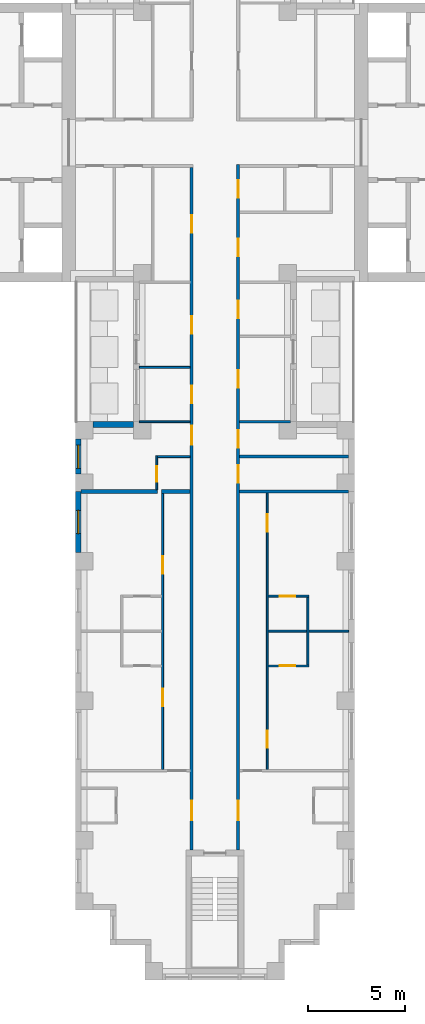
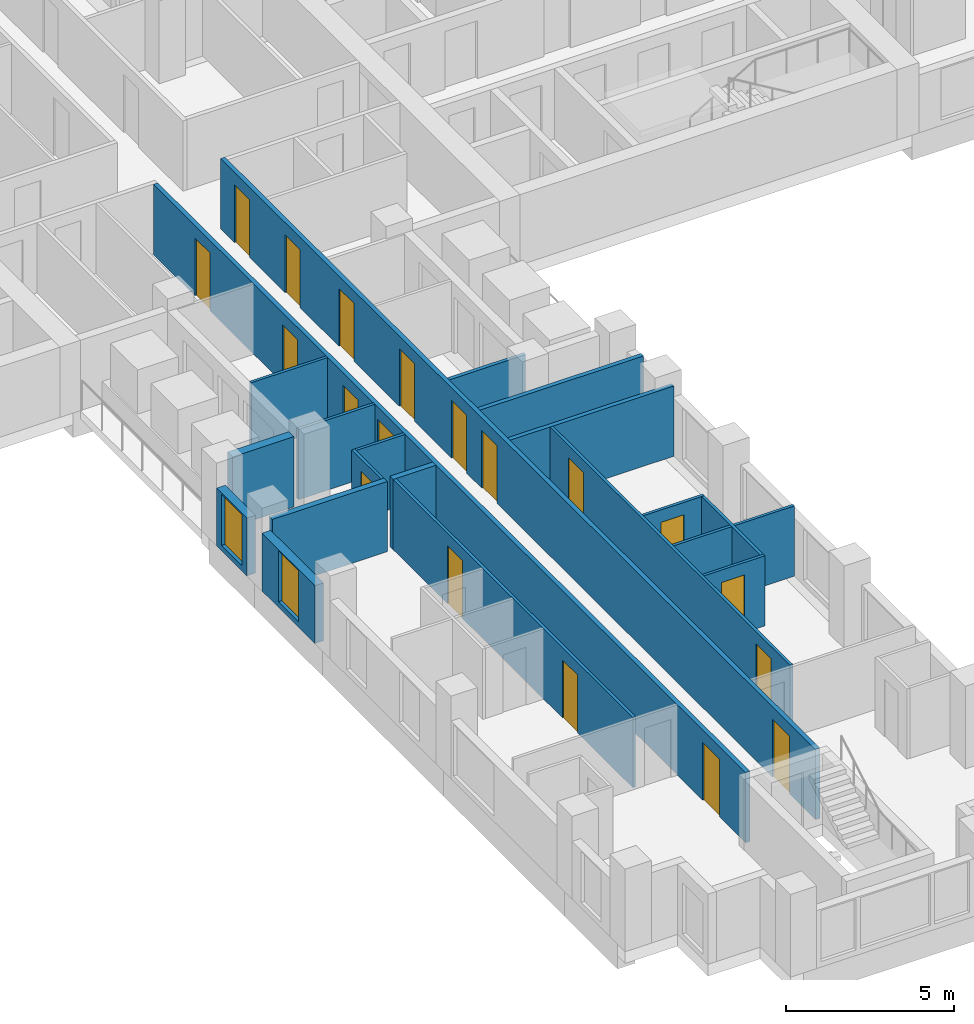
# One storey, part 4 of 15: 20 walls, 19 doors, 2 windows, 21 openings.
"""IFC4 building model written with IfcOpenShell, lengths in metres."""

import ifcopenshell
import ifcopenshell.guid

model = None  # the IFC model being written
_history = None  # IfcOwnerHistory: only IFC2X3 demands one
_inside = {}  # id of a spatial element -> (the spatial element, [elements in it])
_under = {}  # id of a project, library or spatial element -> (it, [spatial elements below it])
_declared = {}  # id of a project -> (the project, [libraries it declares])
_typed = {}  # id of a type object -> (the type object, [elements of that type])
_made_of = {}  # id of a material, layer set ... -> (it, [elements and type objects made of it])


def new_model(schema):
    """Start an empty IFC model of exactly this schema.

    Asked for "IFC4X3", IfcOpenShell would pick the latest addendum, in which some entities
    have other attributes; the version numbers below select the first issue.
    IFC2X3 requires an IfcOwnerHistory on every rooted entity: one is made here for all.
    """
    global model, _history
    if schema == "IFC4X3":
        model = ifcopenshell.file(schema_version=(4, 3, 0, 0))
    else:
        model = ifcopenshell.file(schema=schema)
    _inside.clear()
    _under.clear()
    _declared.clear()
    _typed.clear()
    _made_of.clear()
    _history = None
    if model.schema == "IFC2X3":
        org = make("IfcOrganization", Name="unknown")
        user = make(
            "IfcPersonAndOrganization",
            ThePerson=make("IfcPerson", FamilyName="unknown"),
            TheOrganization=org,
        )
        app = make(
            "IfcApplication",
            ApplicationDeveloper=org,
            Version="unknown",
            ApplicationFullName="unknown",
            ApplicationIdentifier="unknown",
        )
        _history = make(
            "IfcOwnerHistory",
            OwningUser=user,
            OwningApplication=app,
            ChangeAction="ADDED",
            CreationDate=0,
        )
    return model


def make(cls, **values):
    """One entity of the class cls with the attributes given. An attribute that is None is left unset."""
    return model.create_entity(
        cls, **{name: value for name, value in values.items() if value is not None}
    )


def rooted(cls, **values):
    """An entity with a GlobalId (a new one), such as an element, a storey or a relation."""
    return make(cls, GlobalId=ifcopenshell.guid.new(), OwnerHistory=_history, **values)


def si_unit(unit_type, name, prefix=None):
    """IfcSIUnit, for example si_unit("LENGTHUNIT", "METRE", prefix="MILLI")."""
    return make("IfcSIUnit", UnitType=unit_type, Prefix=prefix, Name=name)


def assignment(units):
    """IfcUnitAssignment: the units of a project."""
    return None if units is None else make("IfcUnitAssignment", Units=units)


def point(xyz):
    """IfcCartesianPoint."""
    return None if xyz is None else make("IfcCartesianPoint", Coordinates=xyz)


def direction(xyz):
    """IfcDirection."""
    return None if xyz is None else make("IfcDirection", DirectionRatios=xyz)


def frame(location, z_axis=None, x_axis=None):
    """IfcAxis2Placement3D, a coordinate frame: its origin and axes. An axis left out is left unset."""
    return make(
        "IfcAxis2Placement3D",
        Location=point(location),
        Axis=direction(z_axis),
        RefDirection=direction(x_axis),
    )


def frame_2d(location, x_axis=None):
    """IfcAxis2Placement2D, a coordinate frame in the plane: its origin and x axis."""
    return make(
        "IfcAxis2Placement2D", Location=point(location), RefDirection=direction(x_axis)
    )


def origin():
    """The frame at (0, 0, 0) with its axes left unset."""
    return frame((0.0, 0.0, 0.0))


def place(relative_to, where):
    """IfcLocalPlacement: puts the frame where relative to a parent placement (None: the world)."""
    return make(
        "IfcLocalPlacement", PlacementRelTo=relative_to, RelativePlacement=where
    )


def context(
    kind, dimensions, precision=None, world=None, true_north=None, identifier=None
):
    """IfcGeometricRepresentationContext, for example the 3D "Model" context."""
    return make(
        "IfcGeometricRepresentationContext",
        ContextIdentifier=identifier,
        ContextType=kind,
        CoordinateSpaceDimension=dimensions,
        Precision=precision,
        WorldCoordinateSystem=world,
        TrueNorth=true_north,
    )


def subcontext(parent, identifier, kind, view, scale=None):
    """IfcGeometricRepresentationSubContext, for example "Body" below "Model"."""
    return make(
        "IfcGeometricRepresentationSubContext",
        ContextIdentifier=identifier,
        ContextType=kind,
        ParentContext=parent,
        TargetScale=scale,
        TargetView=view,
    )


def project(units=None, contexts=None):
    """IfcProject with its units and contexts."""
    return rooted(
        "IfcProject",
        Name="project",
        RepresentationContexts=contexts,
        UnitsInContext=assignment(units),
    )


def spatial(cls, under=None, at=None, **own):
    """A site, building, storey or space (cls), placed at a placement, below another one or the project."""
    s = rooted(cls, ObjectPlacement=at, **own)
    if under is not None:
        _under.setdefault(under.id(), (under, []))[1].append(s)
    return s


def profile(cls, at=None, kind="AREA", **sizes):
    """A parametric profile (cls). Its sizes go by their IFC names, for example OverallWidth=200.0."""
    return make(cls, ProfileType=kind, Position=at, **sizes)


def rectangle(**sizes):
    """IfcRectangleProfileDef."""
    return profile("IfcRectangleProfileDef", **sizes)


def extrude(swept, where, along, depth):
    """IfcExtrudedAreaSolid: the profile swept, set in the frame where, extruded along a direction by depth."""
    return make(
        "IfcExtrudedAreaSolid",
        SweptArea=swept,
        Position=where,
        ExtrudedDirection=direction(along),
        Depth=depth,
    )


def shape(context_of_items, identifier, shape_type, items):
    """IfcShapeRepresentation: the items that make up one representation, for example the "Body"."""
    return make(
        "IfcShapeRepresentation",
        ContextOfItems=context_of_items,
        RepresentationIdentifier=identifier,
        RepresentationType=shape_type,
        Items=items,
    )


def material(Name=None, Category=None):
    """IfcMaterial."""
    return make("IfcMaterial", Name=Name, Category=Category)


def layer(
    of_material, thickness, ventilated=None, Name=None, Category=None, Priority=None
):
    """IfcMaterialLayer: one layer of a wall or slab, of a material (None: an air gap)."""
    return make(
        "IfcMaterialLayer",
        Material=of_material,
        LayerThickness=thickness,
        IsVentilated=ventilated,
        Name=Name,
        Category=Category,
        Priority=Priority,
    )


def layer_set(layers, Name=None):
    """IfcMaterialLayerSet."""
    return make("IfcMaterialLayerSet", MaterialLayers=layers, LayerSetName=Name)


def made_of(thing, what):
    """Note that an element or type object is made of a material, layer set ...; save() writes the relation."""
    if what is not None:
        _made_of.setdefault(what.id(), (what, []))[1].append(thing)
    return thing


def type_object(cls, material=None, **own):
    """A type object (cls), such as IfcWallType, which elements share."""
    return made_of(rooted(cls, **own), material)


def element(
    cls,
    number,
    at=None,
    inside=None,
    cuts=None,
    type_object=None,
    material=None,
    context=None,
    identifier="Body",
    shape_type=None,
    held_by="IfcProductDefinitionShape",
    body=None,
    shapes=None,
    **own,
):
    """One element of the class cls, such as IfcWall. Its Tag is "e" and its number.

    at: its placement. inside: the storey or other place that contains it. cuts: it is an
    opening in that element (IfcRelVoidsElement). A single representation is given by context,
    identifier, shape_type and body (its items); several are given by shapes. held_by: the class
    of the entity that holds the representations. save() writes the other relations.
    """
    e = rooted(cls, Tag="e%d" % number, ObjectPlacement=at, **own)
    if body is not None:
        shapes = [shape(context, identifier, shape_type, body)]
    if shapes is not None:
        e.Representation = make(held_by, Representations=shapes)
    if inside is not None:
        _inside.setdefault(inside.id(), (inside, []))[1].append(e)
    if cuts is not None:
        rooted(
            "IfcRelVoidsElement", RelatingBuildingElement=cuts, RelatedOpeningElement=e
        )
    if type_object is not None:
        _typed.setdefault(type_object.id(), (type_object, []))[1].append(e)
    return made_of(e, material)


def fill(opening, filler):
    """IfcRelFillsElement: the door or window that sits in an opening."""
    return rooted(
        "IfcRelFillsElement",
        RelatingOpeningElement=opening,
        RelatedBuildingElement=filler,
    )


def aggregate(whole, parts):
    """IfcRelAggregates: a whole, such as a stair, and the parts it consists of."""
    return rooted("IfcRelAggregates", RelatingObject=whole, RelatedObjects=parts)


def save(model, path):
    """Write the relations noted so far, then the file.

    IfcRelAggregates (storeys below a building ...), IfcRelContainedInSpatialStructure (elements
    in a storey), IfcRelDefinesByType, IfcRelAssociatesMaterial and IfcRelDeclares: one each for
    every whole, place, type object, material and project.
    """
    for whole, parts in _under.values():
        aggregate(whole, parts)
    for where, things in _inside.values():
        rooted(
            "IfcRelContainedInSpatialStructure",
            RelatedElements=things,
            RelatingStructure=where,
        )
    for kind, things in _typed.values():
        rooted("IfcRelDefinesByType", RelatedObjects=things, RelatingType=kind)
    for what, things in _made_of.values():
        rooted("IfcRelAssociatesMaterial", RelatedObjects=things, RelatingMaterial=what)
    for by, libraries in _declared.values():
        rooted("IfcRelDeclares", RelatingContext=by, RelatedDefinitions=libraries)
    model.write(path)


model = new_model("IFC4")

# Units and contexts
model_context = context("Model", 3, precision=1e-05, world=origin(), true_north=direction((0.0, 1.0)))
body_context = subcontext(model_context, "Body", "Model", "MODEL_VIEW")
ifc_project = project(units=[si_unit("LENGTHUNIT", "METRE"), si_unit("AREAUNIT", "SQUARE_METRE"), si_unit("VOLUMEUNIT", "CUBIC_METRE"), si_unit("PLANEANGLEUNIT", "RADIAN"), si_unit("MASSUNIT", "GRAM", prefix="KILO")], contexts=[model_context])

# Site, building, storey
site_placement = place(None, origin())
site = spatial("IfcSite", under=ifc_project, at=site_placement, CompositionType="ELEMENT")
building_placement = place(site_placement, origin())
building = spatial("IfcBuilding", under=site, at=building_placement, Name="Fustian Cross Tower", CompositionType="ELEMENT")
storey_placement = place(building_placement, frame((0.0, 0.0, 59.699951171875)))
storey = spatial("IfcBuildingStorey", under=building, at=storey_placement, Name="L18", CompositionType="ELEMENT", Elevation=59.699951171875)

# Wall, openings, doors
ifc_material_1 = material(Name="Plasterboard on steel stud", Category="steel")
ifc_layer_1 = layer(ifc_material_1, 0.14990234375)
ifc_layer_set_1 = layer_set([ifc_layer_1], Name="Plasterboard on steel stud")
wall_type_1 = type_object("IfcWallType", Name="COMPARTMENT WALL 150 EI 60", PredefinedType="PARTITIONING", material=ifc_layer_set_1)
wall_1_placement = place(storey_placement, frame((-1.199951171875, -36.5, 0.0), z_axis=(0.0, 0.0, 1.0), x_axis=(0.0, 1.0, 0.0)))
wall_1 = element("IfcWall", 1, at=wall_1_placement, inside=storey, type_object=wall_type_1, Name="Partition 46", PredefinedType="PARTITIONING", context=body_context, shape_type="SweptSolid", body=[
    extrude(rectangle(XDim=35.22509765625, YDim=0.14990234375, at=frame_2d((17.612548828125, 0.0))), origin(), (0.0, 0.0, 1.0), 2.550048828125),
])
opening_1_placement = place(wall_1_placement, frame((31.85009765625, 0.0, 0.0)))
opening_1 = element("IfcOpeningElement", 2, at=opening_1_placement, cuts=wall_1, Name="Opening D09009", PredefinedType="OPENING", context=body_context, shape_type="SweptSolid", body=[
    extrude(rectangle(XDim=0.89990234375, YDim=2.10009765625, at=frame_2d((0.449951171875, 1.050048828125))), frame((0.0, 0.0849609375, 0.0), z_axis=(0.0, -1.0, 0.0), x_axis=(1.0, 0.0, 0.0)), (0.0, 0.0, 1.0), 0.169921875),
])
opening_2_placement = place(wall_1_placement, frame((23.050048828125, 0.0, 0.0)))
opening_2 = element("IfcOpeningElement", 3, at=opening_2_placement, cuts=wall_1, Name="Opening D09064", PredefinedType="OPENING", context=body_context, shape_type="SweptSolid", body=[
    extrude(rectangle(XDim=0.89990234375, YDim=2.10009765625, at=frame_2d((0.449951171875, 1.050048828125))), frame((0.0, 0.0849609375, 0.0), z_axis=(0.0, -1.0, 0.0), x_axis=(1.0, 0.0, 0.0)), (0.0, 0.0, 1.0), 0.169921875),
])
opening_3_placement = place(wall_1_placement, frame((26.64990234375, 0.0, 0.0)))
opening_3 = element("IfcOpeningElement", 4, at=opening_3_placement, cuts=wall_1, Name="Opening D09065", PredefinedType="OPENING", context=body_context, shape_type="SweptSolid", body=[
    extrude(rectangle(XDim=0.89990234375, YDim=2.10009765625, at=frame_2d((0.449951171875, 1.050048828125))), frame((0.0, 0.0849609375, 0.0), z_axis=(0.0, -1.0, 0.0), x_axis=(1.0, 0.0, 0.0)), (0.0, 0.0, 1.0), 0.169921875),
])
opening_4_placement = place(wall_1_placement, frame((20.89990234375, 0.0, 0.0)))
opening_4 = element("IfcOpeningElement", 5, at=opening_4_placement, cuts=wall_1, Name="Opening D09067", PredefinedType="OPENING", context=body_context, shape_type="SweptSolid", body=[
    extrude(rectangle(XDim=1.0, YDim=2.10009765625, at=frame_2d((0.5, 1.050048828125))), frame((0.0, 0.0849609375, 0.0), z_axis=(0.0, -1.0, 0.0), x_axis=(1.0, 0.0, 0.0)), (0.0, 0.0, 1.0), 0.169921875),
])
opening_5_placement = place(wall_1_placement, frame((1.550048828125, 0.0, 0.0)))
opening_5 = element("IfcOpeningElement", 6, at=opening_5_placement, cuts=wall_1, Name="Opening D09069", PredefinedType="OPENING", context=body_context, shape_type="SweptSolid", body=[
    extrude(rectangle(XDim=1.0, YDim=2.10009765625, at=frame_2d((0.5, 1.050048828125))), frame((0.0, 0.0849609375, 0.0), z_axis=(0.0, -1.0, 0.0), x_axis=(1.0, 0.0, 0.0)), (0.0, 0.0, 1.0), 0.169921875),
])
ifc_material_2 = material(Name="Timber fire door set", Category="wood")
door_type_1 = type_object("IfcDoorType", Name="FIRE SWING DOOR 1000 FD30S", OperationType="SINGLE_SWING_LEFT", PredefinedType="DOOR", material=ifc_material_2)
door_1_placement = place(opening_4_placement, origin())
door_1 = element("IfcDoor", 7, at=door_1_placement, inside=storey, type_object=door_type_1, Name="Door D09067", OperationType="SINGLE_SWING_RIGHT", OverallHeight=2.10009765625, OverallWidth=1.0, PredefinedType="DOOR", context=body_context, shape_type="SweptSolid", body=[
    extrude(rectangle(XDim=1.0, YDim=2.10009765625, at=frame_2d((0.5, 1.050048828125))), frame((0.0, 0.02490234375, 0.0), z_axis=(0.0, -1.0, 0.0), x_axis=(1.0, 0.0, 0.0)), (0.0, 0.0, 1.0), 0.050048828125),
])
fill(opening_4, door_1)
door_2_placement = place(opening_5_placement, origin())
door_2 = element("IfcDoor", 8, at=door_2_placement, inside=storey, type_object=door_type_1, Name="Door D09069", OperationType="SINGLE_SWING_RIGHT", OverallHeight=2.10009765625, OverallWidth=1.0, PredefinedType="DOOR", context=body_context, shape_type="SweptSolid", body=[
    extrude(rectangle(XDim=1.0, YDim=2.10009765625, at=frame_2d((0.5, 1.050048828125))), frame((0.0, 0.02490234375, 0.0), z_axis=(0.0, -1.0, 0.0), x_axis=(1.0, 0.0, 0.0)), (0.0, 0.0, 1.0), 0.050048828125),
])
fill(opening_5, door_2)
ifc_material_3 = material(Name="Timber fire door set", Category="wood")
door_type_2 = type_object("IfcDoorType", Name="FIRE SWING DOOR 900 FD30S", OperationType="SINGLE_SWING_LEFT", PredefinedType="DOOR", material=ifc_material_3)
door_3_placement = place(opening_1_placement, origin())
door_3 = element("IfcDoor", 9, at=door_3_placement, inside=storey, type_object=door_type_2, Name="Door D09009", OperationType="SINGLE_SWING_LEFT", OverallHeight=2.10009765625, OverallWidth=0.89990234375, PredefinedType="DOOR", context=body_context, shape_type="SweptSolid", body=[
    extrude(rectangle(XDim=0.89990234375, YDim=2.10009765625, at=frame_2d((0.449951171875, 1.050048828125))), frame((0.0, 0.02490234375, 0.0), z_axis=(0.0, -1.0, 0.0), x_axis=(1.0, 0.0, 0.0)), (0.0, 0.0, 1.0), 0.050048828125),
])
fill(opening_1, door_3)
door_4_placement = place(opening_2_placement, origin())
door_4 = element("IfcDoor", 10, at=door_4_placement, inside=storey, type_object=door_type_2, Name="Door D09064", OperationType="SINGLE_SWING_LEFT", OverallHeight=2.10009765625, OverallWidth=0.89990234375, PredefinedType="DOOR", context=body_context, shape_type="SweptSolid", body=[
    extrude(rectangle(XDim=0.89990234375, YDim=2.10009765625, at=frame_2d((0.449951171875, 1.050048828125))), frame((0.0, 0.02490234375, 0.0), z_axis=(0.0, -1.0, 0.0), x_axis=(1.0, 0.0, 0.0)), (0.0, 0.0, 1.0), 0.050048828125),
])
fill(opening_2, door_4)
door_5_placement = place(opening_3_placement, origin())
door_5 = element("IfcDoor", 11, at=door_5_placement, inside=storey, type_object=door_type_2, Name="Door D09065", OperationType="SINGLE_SWING_LEFT", OverallHeight=2.10009765625, OverallWidth=0.89990234375, PredefinedType="DOOR", context=body_context, shape_type="SweptSolid", body=[
    extrude(rectangle(XDim=0.89990234375, YDim=2.10009765625, at=frame_2d((0.449951171875, 1.050048828125))), frame((0.0, 0.02490234375, 0.0), z_axis=(0.0, -1.0, 0.0), x_axis=(1.0, 0.0, 0.0)), (0.0, 0.0, 1.0), 0.050048828125),
])
fill(opening_3, door_5)

wall_2_placement = place(storey_placement, frame((1.199951171875, -36.5, 0.0), z_axis=(0.0, 0.0, 1.0), x_axis=(0.0, 1.0, 0.0)))
wall_2 = element("IfcWall", 12, at=wall_2_placement, inside=storey, type_object=wall_type_1, Name="Partition 48", PredefinedType="PARTITIONING", context=body_context, shape_type="SweptSolid", body=[
    extrude(rectangle(XDim=35.375, YDim=0.14990234375, at=frame_2d((17.6875, 0.0))), origin(), (0.0, 0.0, 1.0), 2.550048828125),
])
opening_6_placement = place(wall_2_placement, frame((33.64990234375, 0.0, 0.0)))
opening_6 = element("IfcOpeningElement", 13, at=opening_6_placement, cuts=wall_2, Name="Opening D09006", PredefinedType="OPENING", context=body_context, shape_type="SweptSolid", body=[
    extrude(rectangle(XDim=0.89990234375, YDim=2.10009765625, at=frame_2d((0.449951171875, 1.050048828125))), frame((0.0, 0.0849609375, 0.0), z_axis=(0.0, -1.0, 0.0), x_axis=(1.0, 0.0, 0.0)), (0.0, 0.0, 1.0), 0.169921875),
])
opening_7_placement = place(wall_2_placement, frame((30.64990234375, 0.0, 0.0)))
opening_7 = element("IfcOpeningElement", 14, at=opening_7_placement, cuts=wall_2, Name="Opening D09008", PredefinedType="OPENING", context=body_context, shape_type="SweptSolid", body=[
    extrude(rectangle(XDim=0.89990234375, YDim=2.10009765625, at=frame_2d((0.449951171875, 1.050048828125))), frame((0.0, 0.0849609375, 0.0), z_axis=(0.0, -1.0, 0.0), x_axis=(1.0, 0.0, 0.0)), (0.0, 0.0, 1.0), 0.169921875),
])
opening_8_placement = place(wall_2_placement, frame((27.449951171875, 0.0, 0.0)))
opening_8 = element("IfcOpeningElement", 15, at=opening_8_placement, cuts=wall_2, Name="Opening D09053", PredefinedType="OPENING", context=body_context, shape_type="SweptSolid", body=[
    extrude(rectangle(XDim=0.89990234375, YDim=2.10009765625, at=frame_2d((0.449951171875, 1.050048828125))), frame((0.0, 0.0849609375, 0.0), z_axis=(0.0, -1.0, 0.0), x_axis=(1.0, 0.0, 0.0)), (0.0, 0.0, 1.0), 0.169921875),
])
opening_9_placement = place(wall_2_placement, frame((23.85009765625, 0.0, 0.0)))
opening_9 = element("IfcOpeningElement", 16, at=opening_9_placement, cuts=wall_2, Name="Opening D09054", PredefinedType="OPENING", context=body_context, shape_type="SweptSolid", body=[
    extrude(rectangle(XDim=0.89990234375, YDim=2.10009765625, at=frame_2d((0.449951171875, 1.050048828125))), frame((0.0, 0.0849609375, 0.0), z_axis=(0.0, -1.0, 0.0), x_axis=(1.0, 0.0, 0.0)), (0.0, 0.0, 1.0), 0.169921875),
])
opening_10_placement = place(wall_2_placement, frame((20.75, 0.0, 0.0)))
opening_10 = element("IfcOpeningElement", 17, at=opening_10_placement, cuts=wall_2, Name="Opening D09055", PredefinedType="OPENING", context=body_context, shape_type="SweptSolid", body=[
    extrude(rectangle(XDim=0.89990234375, YDim=2.10009765625, at=frame_2d((0.449951171875, 1.050048828125))), frame((0.0, 0.0849609375, 0.0), z_axis=(0.0, -1.0, 0.0), x_axis=(1.0, 0.0, 0.0)), (0.0, 0.0, 1.0), 0.169921875),
])
opening_11_placement = place(wall_2_placement, frame((18.949951171875, 0.0, 0.0)))
opening_11 = element("IfcOpeningElement", 18, at=opening_11_placement, cuts=wall_2, Name="Opening D09056", PredefinedType="OPENING", context=body_context, shape_type="SweptSolid", body=[
    extrude(rectangle(XDim=0.89990234375, YDim=2.10009765625, at=frame_2d((0.449951171875, 1.050048828125))), frame((0.0, 0.0849609375, 0.0), z_axis=(0.0, -1.0, 0.0), x_axis=(1.0, 0.0, 0.0)), (0.0, 0.0, 1.0), 0.169921875),
])
opening_12_placement = place(wall_2_placement, frame((1.550048828125, 0.0, 0.0)))
opening_12 = element("IfcOpeningElement", 19, at=opening_12_placement, cuts=wall_2, Name="Opening D09058", PredefinedType="OPENING", context=body_context, shape_type="SweptSolid", body=[
    extrude(rectangle(XDim=1.0, YDim=2.10009765625, at=frame_2d((0.5, 1.050048828125))), frame((0.0, 0.0849609375, 0.0), z_axis=(0.0, -1.0, 0.0), x_axis=(1.0, 0.0, 0.0)), (0.0, 0.0, 1.0), 0.169921875),
])
door_6_placement = place(opening_12_placement, frame((1.0, 0.0, 0.0), z_axis=(0.0, 0.0, 1.0), x_axis=(-1.0, 0.0, 0.0)))
door_6 = element("IfcDoor", 20, at=door_6_placement, inside=storey, type_object=door_type_1, Name="Door D09058", OperationType="SINGLE_SWING_LEFT", OverallHeight=2.10009765625, OverallWidth=1.0, PredefinedType="DOOR", context=body_context, shape_type="SweptSolid", body=[
    extrude(rectangle(XDim=1.0, YDim=2.10009765625, at=frame_2d((0.5, 1.050048828125))), frame((0.0, 0.02490234375, 0.0), z_axis=(0.0, -1.0, 0.0), x_axis=(1.0, 0.0, 0.0)), (0.0, 0.0, 1.0), 0.050048828125),
])
fill(opening_12, door_6)
door_7_placement = place(opening_6_placement, frame((0.89990234375, 0.0, 0.0), z_axis=(0.0, 0.0, 1.0), x_axis=(-1.0, 0.0, 0.0)))
door_7 = element("IfcDoor", 21, at=door_7_placement, inside=storey, type_object=door_type_2, Name="Door D09006", OperationType="SINGLE_SWING_RIGHT", OverallHeight=2.10009765625, OverallWidth=0.89990234375, PredefinedType="DOOR", context=body_context, shape_type="SweptSolid", body=[
    extrude(rectangle(XDim=0.89990234375, YDim=2.10009765625, at=frame_2d((0.449951171875, 1.050048828125))), frame((0.0, 0.02490234375, 0.0), z_axis=(0.0, -1.0, 0.0), x_axis=(1.0, 0.0, 0.0)), (0.0, 0.0, 1.0), 0.050048828125),
])
fill(opening_6, door_7)
door_8_placement = place(opening_7_placement, frame((0.89990234375, 0.0, 0.0), z_axis=(0.0, 0.0, 1.0), x_axis=(-1.0, 0.0, 0.0)))
door_8 = element("IfcDoor", 22, at=door_8_placement, inside=storey, type_object=door_type_2, Name="Door D09008", OperationType="SINGLE_SWING_RIGHT", OverallHeight=2.10009765625, OverallWidth=0.89990234375, PredefinedType="DOOR", context=body_context, shape_type="SweptSolid", body=[
    extrude(rectangle(XDim=0.89990234375, YDim=2.10009765625, at=frame_2d((0.449951171875, 1.050048828125))), frame((0.0, 0.02490234375, 0.0), z_axis=(0.0, -1.0, 0.0), x_axis=(1.0, 0.0, 0.0)), (0.0, 0.0, 1.0), 0.050048828125),
])
fill(opening_7, door_8)
door_9_placement = place(opening_8_placement, frame((0.89990234375, 0.0, 0.0), z_axis=(0.0, 0.0, 1.0), x_axis=(-1.0, 0.0, 0.0)))
door_9 = element("IfcDoor", 23, at=door_9_placement, inside=storey, type_object=door_type_2, Name="Door D09053", OperationType="SINGLE_SWING_RIGHT", OverallHeight=2.10009765625, OverallWidth=0.89990234375, PredefinedType="DOOR", context=body_context, shape_type="SweptSolid", body=[
    extrude(rectangle(XDim=0.89990234375, YDim=2.10009765625, at=frame_2d((0.449951171875, 1.050048828125))), frame((0.0, 0.02490234375, 0.0), z_axis=(0.0, -1.0, 0.0), x_axis=(1.0, 0.0, 0.0)), (0.0, 0.0, 1.0), 0.050048828125),
])
fill(opening_8, door_9)
door_10_placement = place(opening_9_placement, frame((0.89990234375, 0.0, 0.0), z_axis=(0.0, 0.0, 1.0), x_axis=(-1.0, 0.0, 0.0)))
door_10 = element("IfcDoor", 24, at=door_10_placement, inside=storey, type_object=door_type_2, Name="Door D09054", OperationType="SINGLE_SWING_RIGHT", OverallHeight=2.10009765625, OverallWidth=0.89990234375, PredefinedType="DOOR", context=body_context, shape_type="SweptSolid", body=[
    extrude(rectangle(XDim=0.89990234375, YDim=2.10009765625, at=frame_2d((0.449951171875, 1.050048828125))), frame((0.0, 0.02490234375, 0.0), z_axis=(0.0, -1.0, 0.0), x_axis=(1.0, 0.0, 0.0)), (0.0, 0.0, 1.0), 0.050048828125),
])
fill(opening_9, door_10)
door_11_placement = place(opening_10_placement, frame((0.89990234375, 0.0, 0.0), z_axis=(0.0, 0.0, 1.0), x_axis=(-1.0, 0.0, 0.0)))
door_11 = element("IfcDoor", 25, at=door_11_placement, inside=storey, type_object=door_type_2, Name="Door D09055", OperationType="SINGLE_SWING_LEFT", OverallHeight=2.10009765625, OverallWidth=0.89990234375, PredefinedType="DOOR", context=body_context, shape_type="SweptSolid", body=[
    extrude(rectangle(XDim=0.89990234375, YDim=2.10009765625, at=frame_2d((0.449951171875, 1.050048828125))), frame((0.0, 0.02490234375, 0.0), z_axis=(0.0, -1.0, 0.0), x_axis=(1.0, 0.0, 0.0)), (0.0, 0.0, 1.0), 0.050048828125),
])
fill(opening_10, door_11)
door_12_placement = place(opening_11_placement, frame((0.89990234375, 0.0, 0.0), z_axis=(0.0, 0.0, 1.0), x_axis=(-1.0, 0.0, 0.0)))
door_12 = element("IfcDoor", 26, at=door_12_placement, inside=storey, type_object=door_type_2, Name="Door D09056", OperationType="SINGLE_SWING_LEFT", OverallHeight=2.10009765625, OverallWidth=0.89990234375, PredefinedType="DOOR", context=body_context, shape_type="SweptSolid", body=[
    extrude(rectangle(XDim=0.89990234375, YDim=2.10009765625, at=frame_2d((0.449951171875, 1.050048828125))), frame((0.0, 0.02490234375, 0.0), z_axis=(0.0, -1.0, 0.0), x_axis=(1.0, 0.0, 0.0)), (0.0, 0.0, 1.0), 0.050048828125),
])
fill(opening_11, door_12)

# Walls
for number, where, z_axis, x_axis, name in (
    (27, (1.27490234375, -18.0, 0.0), (0.0, 0.0, 1.0), (1.0, 0.0, 0.0), "Partition 50"),
    (28, (1.27490234375, -16.199951171875, 0.0), (0.0, 0.0, 1.0), (1.0, 0.0, 0.0), "Partition 51"),
):
    element("IfcWall", number, at=place(storey_placement, frame(where, z_axis=z_axis, x_axis=x_axis)), inside=storey, type_object=wall_type_1, Name=name, PredefinedType="PARTITIONING", context=body_context, shape_type="SweptSolid", body=[
        extrude(rectangle(XDim=5.625, YDim=0.14990234375, at=frame_2d((2.8125, 0.0))), origin(), (0.0, 0.0, 1.0), 2.550048828125),
    ])
ifc_material_4 = material(Name="Plasterboard on steel stud", Category="steel")
ifc_layer_2 = layer(ifc_material_4, 0.10009765625)
ifc_layer_set_2 = layer_set([ifc_layer_2], Name="Plasterboard on steel stud")
wall_type_2 = type_object("IfcWallType", Name="PARTITION 100 STUD", PredefinedType="PARTITIONING", material=ifc_layer_set_2)
for number, where, z_axis, x_axis, name in (
    (29, (-3.89990234375, -14.39990234375, 0.0), (0.0, 0.0, 1.0), (1.0, 0.0, 0.0), "Partition 28"),
    (30, (-3.89990234375, -11.60009765625, 0.0), (0.0, 0.0, 1.0), (1.0, 0.0, 0.0), "Partition 29"),
):
    element("IfcWall", number, at=place(storey_placement, frame(where, z_axis=z_axis, x_axis=x_axis)), inside=storey, type_object=wall_type_2, Name=name, PredefinedType="PARTITIONING", context=body_context, shape_type="SweptSolid", body=[
        extrude(rectangle(XDim=2.625, YDim=0.10009765625, at=frame_2d((1.3125, 0.0))), origin(), (0.0, 0.0, 1.0), 2.550048828125),
    ])

# Wall, opening, door
wall_3_placement = place(storey_placement, frame((-3.0, -17.89990234375, 0.0), z_axis=(0.0, 0.0, 1.0), x_axis=(0.0, 1.0, 0.0)))
wall_3 = element("IfcWall", 31, at=wall_3_placement, inside=storey, type_object=wall_type_2, Name="Partition 42", PredefinedType="PARTITIONING", context=body_context, shape_type="SweptSolid", body=[
    extrude(rectangle(XDim=1.75, YDim=0.10009765625, at=frame_2d((0.875, 0.0))), origin(), (0.0, 0.0, 1.0), 2.550048828125),
])
opening_13_placement = place(wall_3_placement, frame((0.39990234375, 0.0, 0.0)))
opening_13 = element("IfcOpeningElement", 32, at=opening_13_placement, cuts=wall_3, Name="Opening D09066", PredefinedType="OPENING", context=body_context, shape_type="SweptSolid", body=[
    extrude(rectangle(XDim=0.800048828125, YDim=2.10009765625, at=frame_2d((0.39990234375, 1.050048828125))), frame((0.0, 0.06005859375, 0.0), z_axis=(0.0, -1.0, 0.0), x_axis=(1.0, 0.0, 0.0)), (0.0, 0.0, 1.0), 0.1201171875),
])
ifc_material_5 = material(Name="Painted timber", Category="wood")
door_type_3 = type_object("IfcDoorType", Name="SWING DOOR 800", OperationType="SINGLE_SWING_LEFT", PredefinedType="DOOR", material=ifc_material_5)
door_13_placement = place(opening_13_placement, frame((0.800048828125, 0.0, 0.0), z_axis=(0.0, 0.0, 1.0), x_axis=(-1.0, 0.0, 0.0)))
door_13 = element("IfcDoor", 33, at=door_13_placement, inside=storey, type_object=door_type_3, Name="Door D09066", OperationType="SINGLE_SWING_LEFT", OverallHeight=2.10009765625, OverallWidth=0.800048828125, PredefinedType="DOOR", context=body_context, shape_type="SweptSolid", body=[
    extrude(rectangle(XDim=0.800048828125, YDim=2.10009765625, at=frame_2d((0.39990234375, 1.050048828125))), frame((0.0, 0.02490234375, 0.0), z_axis=(0.0, -1.0, 0.0), x_axis=(1.0, 0.0, 0.0)), (0.0, 0.0, 1.0), 0.050048828125),
])
fill(opening_13, door_13)

# Wall
wall_4_placement = place(storey_placement, frame((-2.949951171875, -16.199951171875, 0.0), z_axis=(0.0, 0.0, 1.0), x_axis=(1.0, 0.0, 0.0)))
element("IfcWall", 34, at=wall_4_placement, inside=storey, type_object=wall_type_2, Name="Partition 43", PredefinedType="PARTITIONING", context=body_context, shape_type="SweptSolid", body=[
    extrude(rectangle(XDim=1.675048828125, YDim=0.10009765625, at=frame_2d((0.83740234375, 0.0))), origin(), (0.0, 0.0, 1.0), 2.550048828125),
])

# Wall, openings, doors
wall_5_placement = place(storey_placement, frame((-2.699951171875, -32.35009765625, 0.0), z_axis=(0.0, 0.0, 1.0), x_axis=(0.0, 1.0, 0.0)))
wall_5 = element("IfcWall", 35, at=wall_5_placement, inside=storey, type_object=wall_type_2, Name="Partition 44", PredefinedType="PARTITIONING", context=body_context, shape_type="SweptSolid", body=[
    extrude(rectangle(XDim=14.25, YDim=0.10009765625, at=frame_2d((7.125, 0.0))), origin(), (0.0, 0.0, 1.0), 2.550048828125),
])
opening_14_placement = place(wall_5_placement, frame((3.280029296875, 0.0, 0.0)))
opening_14 = element("IfcOpeningElement", 36, at=opening_14_placement, cuts=wall_5, Name="Opening D09070", PredefinedType="OPENING", context=body_context, shape_type="SweptSolid", body=[
    extrude(rectangle(XDim=0.89990234375, YDim=2.10009765625, at=frame_2d((0.449951171875, 1.050048828125))), frame((0.0, 0.06005859375, 0.0), z_axis=(0.0, -1.0, 0.0), x_axis=(1.0, 0.0, 0.0)), (0.0, 0.0, 1.0), 0.1201171875),
])
opening_15_placement = place(wall_5_placement, frame((10.119873046875, 0.0, 0.0)))
opening_15 = element("IfcOpeningElement", 37, at=opening_15_placement, cuts=wall_5, Name="Opening D09071", PredefinedType="OPENING", context=body_context, shape_type="SweptSolid", body=[
    extrude(rectangle(XDim=0.89990234375, YDim=2.10009765625, at=frame_2d((0.449951171875, 1.050048828125))), frame((0.0, 0.06005859375, 0.0), z_axis=(0.0, -1.0, 0.0), x_axis=(1.0, 0.0, 0.0)), (0.0, 0.0, 1.0), 0.1201171875),
])
ifc_material_6 = material(Name="Painted timber", Category="wood")
door_type_4 = type_object("IfcDoorType", Name="SWING DOOR 900", OperationType="SINGLE_SWING_LEFT", PredefinedType="DOOR", material=ifc_material_6)
door_14_placement = place(opening_14_placement, frame((0.89990234375, 0.0, 0.0), z_axis=(0.0, 0.0, 1.0), x_axis=(-1.0, 0.0, 0.0)))
door_14 = element("IfcDoor", 38, at=door_14_placement, inside=storey, type_object=door_type_4, Name="Door D09070", OperationType="SINGLE_SWING_RIGHT", OverallHeight=2.10009765625, OverallWidth=0.89990234375, PredefinedType="DOOR", context=body_context, shape_type="SweptSolid", body=[
    extrude(rectangle(XDim=0.89990234375, YDim=2.10009765625, at=frame_2d((0.449951171875, 1.050048828125))), frame((0.0, 0.02490234375, 0.0), z_axis=(0.0, -1.0, 0.0), x_axis=(1.0, 0.0, 0.0)), (0.0, 0.0, 1.0), 0.050048828125),
])
fill(opening_14, door_14)
door_15_placement = place(opening_15_placement, frame((0.89990234375, 0.0, 0.0), z_axis=(0.0, 0.0, 1.0), x_axis=(-1.0, 0.0, 0.0)))
door_15 = element("IfcDoor", 39, at=door_15_placement, inside=storey, type_object=door_type_4, Name="Door D09071", OperationType="SINGLE_SWING_LEFT", OverallHeight=2.10009765625, OverallWidth=0.89990234375, PredefinedType="DOOR", context=body_context, shape_type="SweptSolid", body=[
    extrude(rectangle(XDim=0.89990234375, YDim=2.10009765625, at=frame_2d((0.449951171875, 1.050048828125))), frame((0.0, 0.02490234375, 0.0), z_axis=(0.0, -1.0, 0.0), x_axis=(1.0, 0.0, 0.0)), (0.0, 0.0, 1.0), 0.050048828125),
])
fill(opening_15, door_15)

wall_6_placement = place(storey_placement, frame((2.699951171875, -32.35009765625, 0.0), z_axis=(0.0, 0.0, 1.0), x_axis=(0.0, 1.0, 0.0)))
wall_6 = element("IfcWall", 40, at=wall_6_placement, inside=storey, type_object=wall_type_2, Name="Partition 64", PredefinedType="PARTITIONING", context=body_context, shape_type="SweptSolid", body=[
    extrude(rectangle(XDim=14.275146484375, YDim=0.10009765625, at=frame_2d((7.1376953125, 0.0))), origin(), (0.0, 0.0, 1.0), 2.550048828125),
])
opening_16_placement = place(wall_6_placement, frame((1.1201171875, 0.0, 0.0)))
opening_16 = element("IfcOpeningElement", 41, at=opening_16_placement, cuts=wall_6, Name="Opening D09060", PredefinedType="OPENING", context=body_context, shape_type="SweptSolid", body=[
    extrude(rectangle(XDim=0.89990234375, YDim=2.10009765625, at=frame_2d((0.449951171875, 1.050048828125))), frame((0.0, 0.06005859375, 0.0), z_axis=(0.0, -1.0, 0.0), x_axis=(1.0, 0.0, 0.0)), (0.0, 0.0, 1.0), 0.1201171875),
])
opening_17_placement = place(wall_6_placement, frame((12.280029296875, 0.0, 0.0)))
opening_17 = element("IfcOpeningElement", 42, at=opening_17_placement, cuts=wall_6, Name="Opening D09061", PredefinedType="OPENING", context=body_context, shape_type="SweptSolid", body=[
    extrude(rectangle(XDim=0.89990234375, YDim=2.10009765625, at=frame_2d((0.449951171875, 1.050048828125))), frame((0.0, 0.06005859375, 0.0), z_axis=(0.0, -1.0, 0.0), x_axis=(1.0, 0.0, 0.0)), (0.0, 0.0, 1.0), 0.1201171875),
])
door_16_placement = place(opening_16_placement, origin())
door_16 = element("IfcDoor", 43, at=door_16_placement, inside=storey, type_object=door_type_4, Name="Door D09060", OperationType="SINGLE_SWING_LEFT", OverallHeight=2.10009765625, OverallWidth=0.89990234375, PredefinedType="DOOR", context=body_context, shape_type="SweptSolid", body=[
    extrude(rectangle(XDim=0.89990234375, YDim=2.10009765625, at=frame_2d((0.449951171875, 1.050048828125))), frame((0.0, 0.02490234375, 0.0), z_axis=(0.0, -1.0, 0.0), x_axis=(1.0, 0.0, 0.0)), (0.0, 0.0, 1.0), 0.050048828125),
])
fill(opening_16, door_16)
door_17_placement = place(opening_17_placement, origin())
door_17 = element("IfcDoor", 44, at=door_17_placement, inside=storey, type_object=door_type_4, Name="Door D09061", OperationType="SINGLE_SWING_RIGHT", OverallHeight=2.10009765625, OverallWidth=0.89990234375, PredefinedType="DOOR", context=body_context, shape_type="SweptSolid", body=[
    extrude(rectangle(XDim=0.89990234375, YDim=2.10009765625, at=frame_2d((0.449951171875, 1.050048828125))), frame((0.0, 0.02490234375, 0.0), z_axis=(0.0, -1.0, 0.0), x_axis=(1.0, 0.0, 0.0)), (0.0, 0.0, 1.0), 0.050048828125),
])
fill(opening_17, door_17)

# Wall, opening, door
wall_7_placement = place(storey_placement, frame((2.75, -27.0, 0.0), z_axis=(0.0, 0.0, 1.0), x_axis=(1.0, 0.0, 0.0)))
wall_7 = element("IfcWall", 45, at=wall_7_placement, inside=storey, type_object=wall_type_2, Name="Partition 65", PredefinedType="PARTITIONING", context=body_context, shape_type="SweptSolid", body=[
    extrude(rectangle(XDim=2.10009765625, YDim=0.10009765625, at=frame_2d((1.050048828125, 0.0))), origin(), (0.0, 0.0, 1.0), 2.550048828125),
])
opening_18_placement = place(wall_7_placement, frame((0.60009765625, 0.0, 0.0)))
opening_18 = element("IfcOpeningElement", 46, at=opening_18_placement, cuts=wall_7, Name="Opening D09063", PredefinedType="OPENING", context=body_context, shape_type="SweptSolid", body=[
    extrude(rectangle(XDim=0.800048828125, YDim=2.10009765625, at=frame_2d((0.39990234375, 1.050048828125))), frame((0.0, 0.06005859375, 0.0), z_axis=(0.0, -1.0, 0.0), x_axis=(1.0, 0.0, 0.0)), (0.0, 0.0, 1.0), 0.1201171875),
])
door_18_placement = place(opening_18_placement, origin())
door_18 = element("IfcDoor", 47, at=door_18_placement, inside=storey, type_object=door_type_3, Name="Door D09063", OperationType="SINGLE_SWING_LEFT", OverallHeight=2.10009765625, OverallWidth=0.800048828125, PredefinedType="DOOR", context=body_context, shape_type="SweptSolid", body=[
    extrude(rectangle(XDim=0.800048828125, YDim=2.10009765625, at=frame_2d((0.39990234375, 1.050048828125))), frame((0.0, 0.02490234375, 0.0), z_axis=(0.0, -1.0, 0.0), x_axis=(1.0, 0.0, 0.0)), (0.0, 0.0, 1.0), 0.050048828125),
])
fill(opening_18, door_18)

# Wall
wall_8_placement = place(storey_placement, frame((2.75, -25.199951171875, 0.0), z_axis=(0.0, 0.0, 1.0), x_axis=(1.0, 0.0, 0.0)))
element("IfcWall", 48, at=wall_8_placement, inside=storey, type_object=wall_type_2, Name="Partition 66", PredefinedType="PARTITIONING", context=body_context, shape_type="SweptSolid", body=[
    extrude(rectangle(XDim=4.14990234375, YDim=0.10009765625, at=frame_2d((2.074951171875, 0.0))), origin(), (0.0, 0.0, 1.0), 2.550048828125),
])

# Wall, opening, door
wall_9_placement = place(storey_placement, frame((2.75, -23.39990234375, 0.0), z_axis=(0.0, 0.0, 1.0), x_axis=(1.0, 0.0, 0.0)))
wall_9 = element("IfcWall", 49, at=wall_9_placement, inside=storey, type_object=wall_type_2, Name="Partition 67", PredefinedType="PARTITIONING", context=body_context, shape_type="SweptSolid", body=[
    extrude(rectangle(XDim=2.10009765625, YDim=0.10009765625, at=frame_2d((1.050048828125, 0.0))), origin(), (0.0, 0.0, 1.0), 2.550048828125),
])
opening_19_placement = place(wall_9_placement, frame((0.60009765625, 0.0, 0.0)))
opening_19 = element("IfcOpeningElement", 50, at=opening_19_placement, cuts=wall_9, Name="Opening D09062", PredefinedType="OPENING", context=body_context, shape_type="SweptSolid", body=[
    extrude(rectangle(XDim=0.800048828125, YDim=2.10009765625, at=frame_2d((0.39990234375, 1.050048828125))), frame((0.0, 0.06005859375, 0.0), z_axis=(0.0, -1.0, 0.0), x_axis=(1.0, 0.0, 0.0)), (0.0, 0.0, 1.0), 0.1201171875),
])
door_19_placement = place(opening_19_placement, frame((0.800048828125, 0.0, 0.0), z_axis=(0.0, 0.0, 1.0), x_axis=(-1.0, 0.0, 0.0)))
door_19 = element("IfcDoor", 51, at=door_19_placement, inside=storey, type_object=door_type_3, Name="Door D09062", OperationType="SINGLE_SWING_RIGHT", OverallHeight=2.10009765625, OverallWidth=0.800048828125, PredefinedType="DOOR", context=body_context, shape_type="SweptSolid", body=[
    extrude(rectangle(XDim=0.800048828125, YDim=2.10009765625, at=frame_2d((0.39990234375, 1.050048828125))), frame((0.0, 0.02490234375, 0.0), z_axis=(0.0, -1.0, 0.0), x_axis=(1.0, 0.0, 0.0)), (0.0, 0.0, 1.0), 0.050048828125),
])
fill(opening_19, door_19)

# Walls
wall_10_placement = place(storey_placement, frame((4.800048828125, -26.949951171875, 0.0), z_axis=(0.0, 0.0, 1.0), x_axis=(0.0, 1.0, 0.0)))
element("IfcWall", 52, at=wall_10_placement, inside=storey, type_object=wall_type_2, Name="Partition 77", PredefinedType="PARTITIONING", context=body_context, shape_type="SweptSolid", body=[
    extrude(rectangle(XDim=3.5, YDim=0.10009765625, at=frame_2d((1.75, 0.0))), origin(), (0.0, 0.0, 1.0), 2.550048828125),
])
ifc_material_7 = material(Name="Plasterboard on steel stud", Category="steel")
ifc_layer_3 = layer(ifc_material_7, 0.199951171875)
ifc_layer_set_3 = layer_set([ifc_layer_3], Name="Plasterboard on steel stud")
wall_type_3 = type_object("IfcWallType", Name="PARTY WALL 200 EI 60", PredefinedType="PARTITIONING", material=ifc_layer_set_3)
wall_11_placement = place(storey_placement, frame((-6.89990234375, -18.0, 0.0), z_axis=(0.0, 0.0, 1.0), x_axis=(1.0, 0.0, 0.0)))
element("IfcWall", 53, at=wall_11_placement, inside=storey, type_object=wall_type_3, Name="Partition 18", PredefinedType="PARTITIONING", context=body_context, shape_type="SweptSolid", body=[
    extrude(rectangle(XDim=3.949951171875, YDim=0.199951171875, at=frame_2d((1.97509765625, 0.0))), origin(), (0.0, 0.0, 1.0), 2.550048828125),
])
wall_12_placement = place(storey_placement, frame((-2.75, -18.0, 0.0), z_axis=(0.0, 0.0, 1.0), x_axis=(1.0, 0.0, 0.0)))
element("IfcWall", 54, at=wall_12_placement, inside=storey, type_object=wall_type_3, Name="Partition 45", PredefinedType="PARTITIONING", context=body_context, shape_type="SweptSolid", body=[
    extrude(rectangle(XDim=1.47509765625, YDim=0.199951171875, at=frame_2d((0.737548828125, 0.0))), origin(), (0.0, 0.0, 1.0), 2.550048828125),
])
ifc_material_8 = material(Name="Plasterboard on steel stud", Category="steel")
ifc_layer_4 = layer(ifc_material_8, 0.125)
ifc_layer_set_4 = layer_set([ifc_layer_4], Name="Plasterboard on steel stud")
wall_type_4 = type_object("IfcWallType", Name="WET WALL 125 STUD", PredefinedType="PARTITIONING", material=ifc_layer_set_4)
wall_13_placement = place(storey_placement, frame((1.27490234375, -14.39990234375, 0.0), z_axis=(0.0, 0.0, 1.0), x_axis=(1.0, 0.0, 0.0)))
element("IfcWall", 55, at=wall_13_placement, inside=storey, type_object=wall_type_4, Name="Partition 52", PredefinedType="PARTITIONING", context=body_context, shape_type="SweptSolid", body=[
    extrude(rectangle(XDim=2.625, YDim=0.125, at=frame_2d((1.3125, 0.0))), origin(), (0.0, 0.0, 1.0), 2.550048828125),
])
ifc_material_9 = material(Name="Dark aluminium cladding on insulated backing wall", Category="aluminium")
ifc_layer_5 = layer(ifc_material_9, 0.300048828125)
ifc_layer_set_5 = layer_set([ifc_layer_5], Name="Dark aluminium cladding on insulated backing wall")
wall_type_5 = type_object("IfcWallType", Name="XW1 EXTERNAL WALL 300", PredefinedType="SOLIDWALL", material=ifc_layer_set_5)
wall_14_placement = place(storey_placement, frame((-4.199951171875, -14.550048828125, 0.0), z_axis=(0.0, 0.0, 1.0), x_axis=(-1.0, 0.0, 0.0)))
element("IfcWall", 56, at=wall_14_placement, inside=storey, type_object=wall_type_5, Name="External wall", PredefinedType="SOLIDWALL", context=body_context, shape_type="SweptSolid", body=[
    extrude(rectangle(XDim=2.10009765625, YDim=0.300048828125, at=frame_2d((1.050048828125, 0.0))), origin(), (0.0, 0.0, 1.0), 2.550048828125),
])

# Wall, opening, window
wall_15_placement = place(storey_placement, frame((-7.050048828125, -15.300048828125, 0.0), z_axis=(0.0, 0.0, 1.0), x_axis=(0.0, -1.0, 0.0)))
wall_15 = element("IfcWall", 57, at=wall_15_placement, inside=storey, type_object=wall_type_5, Name="External wall", PredefinedType="SOLIDWALL", context=body_context, shape_type="SweptSolid", body=[
    extrude(rectangle(XDim=1.800048828125, YDim=0.300048828125, at=frame_2d((0.89990234375, 0.0))), origin(), (0.0, 0.0, 1.0), 2.10009765625),
])
opening_20_placement = place(wall_15_placement, frame((0.300048828125, 0.0, 0.199951171875)))
opening_20 = element("IfcOpeningElement", 58, at=opening_20_placement, cuts=wall_15, Name="Opening WN3", PredefinedType="OPENING", context=body_context, shape_type="SweptSolid", body=[
    extrude(rectangle(XDim=1.199951171875, YDim=1.85009765625, at=frame_2d((0.60009765625, 0.925048828125))), frame((0.0, 0.159912109375, 0.0), z_axis=(0.0, -1.0, 0.0), x_axis=(1.0, 0.0, 0.0)), (0.0, 0.0, 1.0), 0.320068359375),
])
ifc_material_10 = material(Name="Dark anodised aluminium and double glazing", Category="aluminium")
window_type = type_object("IfcWindowType", Name="WN3 WINDOW 1200X1850", PartitioningType="SINGLE_PANEL", PredefinedType="WINDOW", material=ifc_material_10)
window_1_placement = place(opening_20_placement, origin())
window_1 = element("IfcWindow", 59, at=window_1_placement, inside=storey, type_object=window_type, Name="Window", OverallHeight=1.85009765625, OverallWidth=1.199951171875, PartitioningType="SINGLE_PANEL", PredefinedType="WINDOW", context=body_context, shape_type="SweptSolid", body=[
    extrude(rectangle(XDim=1.199951171875, YDim=1.85009765625, at=frame_2d((0.60009765625, 0.925048828125))), frame((0.0, 0.030029296875, 0.0), z_axis=(0.0, -1.0, 0.0), x_axis=(1.0, 0.0, 0.0)), (0.0, 0.0, 1.0), 0.06005859375),
])
fill(opening_20, window_1)

wall_16_placement = place(storey_placement, frame((-7.050048828125, -18.0, 0.0), z_axis=(0.0, 0.0, 1.0), x_axis=(0.0, -1.0, 0.0)))
wall_16 = element("IfcWall", 60, at=wall_16_placement, inside=storey, type_object=wall_type_5, Name="External wall", PredefinedType="SOLIDWALL", context=body_context, shape_type="SweptSolid", body=[
    extrude(rectangle(XDim=3.14990234375, YDim=0.300048828125, at=frame_2d((1.574951171875, 0.0))), origin(), (0.0, 0.0, 1.0), 2.10009765625),
])
opening_21_placement = place(wall_16_placement, frame((0.97509765625, 0.0, 0.199951171875)))
opening_21 = element("IfcOpeningElement", 61, at=opening_21_placement, cuts=wall_16, Name="Opening WN3", PredefinedType="OPENING", context=body_context, shape_type="SweptSolid", body=[
    extrude(rectangle(XDim=1.199951171875, YDim=1.85009765625, at=frame_2d((0.60009765625, 0.925048828125))), frame((0.0, 0.159912109375, 0.0), z_axis=(0.0, -1.0, 0.0), x_axis=(1.0, 0.0, 0.0)), (0.0, 0.0, 1.0), 0.320068359375),
])
window_2_placement = place(opening_21_placement, origin())
window_2 = element("IfcWindow", 62, at=window_2_placement, inside=storey, type_object=window_type, Name="Window", OverallHeight=1.85009765625, OverallWidth=1.199951171875, PartitioningType="SINGLE_PANEL", PredefinedType="WINDOW", context=body_context, shape_type="SweptSolid", body=[
    extrude(rectangle(XDim=1.199951171875, YDim=1.85009765625, at=frame_2d((0.60009765625, 0.925048828125))), frame((0.0, 0.030029296875, 0.0), z_axis=(0.0, -1.0, 0.0), x_axis=(1.0, 0.0, 0.0)), (0.0, 0.0, 1.0), 0.06005859375),
])
fill(opening_21, window_2)

save(model, "model.ifc")
